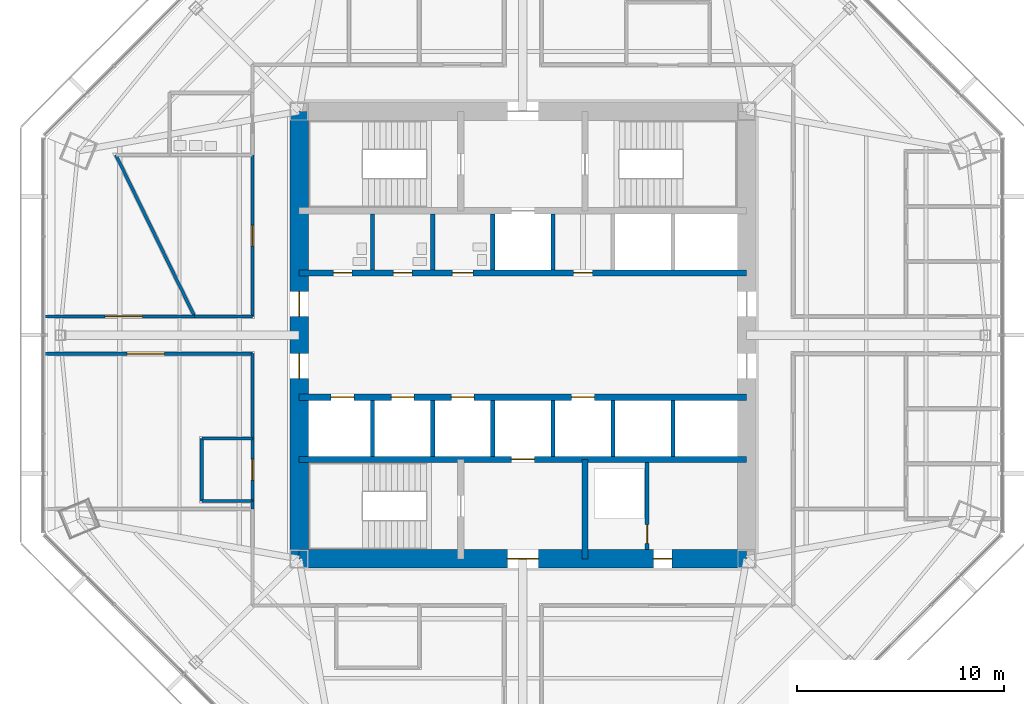
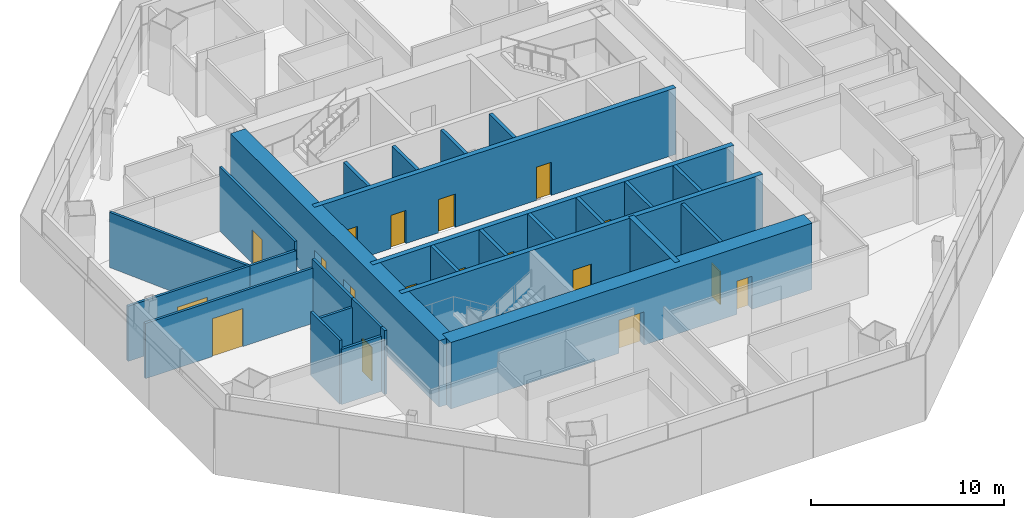
# One storey, part 9 of 15: 28 walls, 18 doors, 18 openings.
"""IFC4 building model written with IfcOpenShell, lengths in metres."""

from ifc_helpers import new_model, si_unit, direction, frame, frame_2d, origin, place, context, subcontext, project, spatial, rectangle, extrude, material, layer, layer_set, type_object, element, fill, save


model = new_model("IFC4")

# Units and contexts
model_context = context("Model", 3, precision=1e-05, world=origin(), true_north=direction((0.0, 1.0)))
body_context = subcontext(model_context, "Body", "Model", "MODEL_VIEW")
ifc_project = project(units=[si_unit("LENGTHUNIT", "METRE"), si_unit("AREAUNIT", "SQUARE_METRE"), si_unit("VOLUMEUNIT", "CUBIC_METRE"), si_unit("PLANEANGLEUNIT", "RADIAN"), si_unit("MASSUNIT", "GRAM", prefix="KILO")], contexts=[model_context])

# Site, building, storey
site_placement = place(None, origin())
site = spatial("IfcSite", under=ifc_project, at=site_placement, CompositionType="ELEMENT")
building_placement = place(site_placement, origin())
building = spatial("IfcBuilding", under=site, at=building_placement, Name="Mashrafa Tower", CompositionType="ELEMENT")
storey_placement = place(building_placement, frame((0.0, 0.0, 172.199951171875)))
storey = spatial("IfcBuildingStorey", under=building, at=storey_placement, Name="L39", CompositionType="ELEMENT", Elevation=172.199951171875)

# Wall, opening, door
ifc_material_1 = material(Name="Concrete masonry unit", Category="masonry")
ifc_layer_1 = layer(ifc_material_1, 0.199951171875)
ifc_layer_set_1 = layer_set([ifc_layer_1], Name="Blockwork wall 200 2 hr")
wall_type_1 = type_object("IfcWallType", Name="Blockwork wall 200 2 hr", PredefinedType="PARTITIONING", material=ifc_layer_set_1)
wall_1_placement = place(storey_placement, frame((6.0, -10.35009765625, 0.0), z_axis=(0.0, 0.0, 1.0), x_axis=(0.0, 1.0, 0.0)))
wall_1 = element("IfcWall", 1, at=wall_1_placement, inside=storey, type_object=wall_type_1, Name="Riser enclosure wall L39", PredefinedType="PARTITIONING", context=body_context, shape_type="SweptSolid", body=[
    extrude(rectangle(XDim=4.2001953125, YDim=0.199951171875, at=frame_2d((2.10009765625, 0.0))), origin(), (0.0, 0.0, 1.0), 4.03515625),
])
opening_1_placement = place(wall_1_placement, frame((0.300048828125, 0.0, 0.0)))
opening_1 = element("IfcOpeningElement", 2, at=opening_1_placement, cuts=wall_1, Name="Opening 39.034", PredefinedType="OPENING", context=body_context, shape_type="SweptSolid", body=[
    extrude(rectangle(XDim=0.89990234375, YDim=2.10009765625, at=frame_2d((0.449951171875, 1.050048828125))), frame((0.0, 0.10986328125, 0.0), z_axis=(0.0, -1.0, 0.0), x_axis=(1.0, 0.0, 0.0)), (0.0, 0.0, 1.0), 0.219970703125),
])
ifc_material_2 = material(Name="Steel door", Category="steel")
door_type_1 = type_object("IfcDoorType", Name="Service door 900 x 2100 90 min", OperationType="USERDEFINED", PredefinedType="DOOR", material=ifc_material_2)
door_1_placement = place(opening_1_placement, origin())
door_1 = element("IfcDoor", 3, at=door_1_placement, inside=storey, type_object=door_type_1, Name="Riser door L39", OperationType="SINGLE_SWING_LEFT", OverallHeight=2.10009765625, OverallWidth=0.89990234375, PredefinedType="DOOR", context=body_context, shape_type="SweptSolid", body=[
    extrude(rectangle(XDim=0.89990234375, YDim=2.10009765625, at=frame_2d((0.449951171875, 1.050048828125))), frame((0.0, 0.02490234375, 0.0), z_axis=(0.0, -1.0, 0.0), x_axis=(1.0, 0.0, 0.0)), (0.0, 0.0, 1.0), 0.050048828125),
])
fill(opening_1, door_1)

# Wall, openings, doors
ifc_material_3 = material(Name="Concrete C60/75", Category="concrete")
ifc_layer_2 = layer(ifc_material_3, 0.300048828125)
ifc_layer_set_2 = layer_set([ifc_layer_2], Name="Core wall 300 C60/75")
wall_type_2 = type_object("IfcWallType", Name="Core wall 300 C60/75", PredefinedType="SOLIDWALL", material=ifc_layer_set_2)
wall_2_placement = place(storey_placement, frame((-10.800048828125, 3.0, 0.0), z_axis=(0.0, 0.0, 1.0), x_axis=(1.0, 0.0, 0.0)))
wall_2 = element("IfcWall", 4, at=wall_2_placement, inside=storey, type_object=wall_type_2, Name="Core wall CH-N L39", PredefinedType="SOLIDWALL", context=body_context, shape_type="SweptSolid", body=[
    extrude(rectangle(XDim=21.60009765625, YDim=0.300048828125, at=frame_2d((10.800048828125, 0.0))), origin(), (0.0, 0.0, 1.0), 4.199951171875),
])
opening_2_placement = place(wall_2_placement, frame((1.64990234375, 0.0, 0.0)))
opening_2 = element("IfcOpeningElement", 5, at=opening_2_placement, cuts=wall_2, Name="Opening 39.035", PredefinedType="OPENING", context=body_context, shape_type="SweptSolid", body=[
    extrude(rectangle(XDim=0.89990234375, YDim=2.10009765625, at=frame_2d((0.449951171875, 1.050048828125))), frame((0.0, 0.159912109375, 0.0), z_axis=(0.0, -1.0, 0.0), x_axis=(1.0, 0.0, 0.0)), (0.0, 0.0, 1.0), 0.320068359375),
])
opening_3_placement = place(wall_2_placement, frame((4.550048828125, 0.0, 0.0)))
opening_3 = element("IfcOpeningElement", 6, at=opening_3_placement, cuts=wall_2, Name="Opening 39.036", PredefinedType="OPENING", context=body_context, shape_type="SweptSolid", body=[
    extrude(rectangle(XDim=0.89990234375, YDim=2.10009765625, at=frame_2d((0.449951171875, 1.050048828125))), frame((0.0, 0.159912109375, 0.0), z_axis=(0.0, -1.0, 0.0), x_axis=(1.0, 0.0, 0.0)), (0.0, 0.0, 1.0), 0.320068359375),
])
opening_4_placement = place(wall_2_placement, frame((7.39990234375, 0.0, 0.0)))
opening_4 = element("IfcOpeningElement", 7, at=opening_4_placement, cuts=wall_2, Name="Opening 39.037", PredefinedType="OPENING", context=body_context, shape_type="SweptSolid", body=[
    extrude(rectangle(XDim=1.0, YDim=2.10009765625, at=frame_2d((0.5, 1.050048828125))), frame((0.0, 0.159912109375, 0.0), z_axis=(0.0, -1.0, 0.0), x_axis=(1.0, 0.0, 0.0)), (0.0, 0.0, 1.0), 0.320068359375),
])
opening_5_placement = place(wall_2_placement, frame((13.25, 0.0, 0.0)))
opening_5 = element("IfcOpeningElement", 8, at=opening_5_placement, cuts=wall_2, Name="Opening 39.038", PredefinedType="OPENING", context=body_context, shape_type="SweptSolid", body=[
    extrude(rectangle(XDim=0.89990234375, YDim=2.10009765625, at=frame_2d((0.449951171875, 1.050048828125))), frame((0.0, 0.159912109375, 0.0), z_axis=(0.0, -1.0, 0.0), x_axis=(1.0, 0.0, 0.0)), (0.0, 0.0, 1.0), 0.320068359375),
])
ifc_material_4 = material(Name="Timber door", Category="wood")
door_type_2 = type_object("IfcDoorType", Name="Accessible toilet door 1000 x 2100", OperationType="USERDEFINED", PredefinedType="DOOR", material=ifc_material_4)
door_2_placement = place(opening_4_placement, origin())
door_2 = element("IfcDoor", 9, at=door_2_placement, inside=storey, type_object=door_type_2, Name="Accessible WC L39 door", OperationType="SINGLE_SWING_LEFT", OverallHeight=2.10009765625, OverallWidth=1.0, PredefinedType="DOOR", context=body_context, shape_type="SweptSolid", body=[
    extrude(rectangle(XDim=1.0, YDim=2.10009765625, at=frame_2d((0.5, 1.050048828125))), frame((0.0, 0.02490234375, 0.0), z_axis=(0.0, -1.0, 0.0), x_axis=(1.0, 0.0, 0.0)), (0.0, 0.0, 1.0), 0.050048828125),
])
fill(opening_4, door_2)
ifc_material_5 = material(Name="Timber door", Category="wood")
door_type_3 = type_object("IfcDoorType", Name="Store door 900 x 2100", OperationType="USERDEFINED", PredefinedType="DOOR", material=ifc_material_5)
door_3_placement = place(opening_5_placement, origin())
door_3 = element("IfcDoor", 10, at=door_3_placement, inside=storey, type_object=door_type_3, Name="Cleaner's Store L39 door", OperationType="SINGLE_SWING_LEFT", OverallHeight=2.10009765625, OverallWidth=0.89990234375, PredefinedType="DOOR", context=body_context, shape_type="SweptSolid", body=[
    extrude(rectangle(XDim=0.89990234375, YDim=2.10009765625, at=frame_2d((0.449951171875, 1.050048828125))), frame((0.0, 0.02490234375, 0.0), z_axis=(0.0, -1.0, 0.0), x_axis=(1.0, 0.0, 0.0)), (0.0, 0.0, 1.0), 0.050048828125),
])
fill(opening_5, door_3)
ifc_material_6 = material(Name="Timber door", Category="wood")
door_type_4 = type_object("IfcDoorType", Name="Toilet door 900 x 2100", OperationType="USERDEFINED", PredefinedType="DOOR", material=ifc_material_6)
door_4_placement = place(opening_2_placement, origin())
door_4 = element("IfcDoor", 11, at=door_4_placement, inside=storey, type_object=door_type_4, Name="WC Male L39 door", OperationType="SINGLE_SWING_RIGHT", OverallHeight=2.10009765625, OverallWidth=0.89990234375, PredefinedType="DOOR", context=body_context, shape_type="SweptSolid", body=[
    extrude(rectangle(XDim=0.89990234375, YDim=2.10009765625, at=frame_2d((0.449951171875, 1.050048828125))), frame((0.0, 0.02490234375, 0.0), z_axis=(0.0, -1.0, 0.0), x_axis=(1.0, 0.0, 0.0)), (0.0, 0.0, 1.0), 0.050048828125),
])
fill(opening_2, door_4)
door_5_placement = place(opening_3_placement, origin())
door_5 = element("IfcDoor", 12, at=door_5_placement, inside=storey, type_object=door_type_4, Name="WC Female L39 door", OperationType="SINGLE_SWING_LEFT", OverallHeight=2.10009765625, OverallWidth=0.89990234375, PredefinedType="DOOR", context=body_context, shape_type="SweptSolid", body=[
    extrude(rectangle(XDim=0.89990234375, YDim=2.10009765625, at=frame_2d((0.449951171875, 1.050048828125))), frame((0.0, 0.02490234375, 0.0), z_axis=(0.0, -1.0, 0.0), x_axis=(1.0, 0.0, 0.0)), (0.0, 0.0, 1.0), 0.050048828125),
])
fill(opening_3, door_5)

wall_3_placement = place(storey_placement, frame((-10.800048828125, -3.0, 0.0), z_axis=(0.0, 0.0, 1.0), x_axis=(1.0, 0.0, 0.0)))
wall_3 = element("IfcWall", 13, at=wall_3_placement, inside=storey, type_object=wall_type_2, Name="Core wall CH-S L39", PredefinedType="SOLIDWALL", context=body_context, shape_type="SweptSolid", body=[
    extrude(rectangle(XDim=21.60009765625, YDim=0.300048828125, at=frame_2d((10.800048828125, 0.0))), origin(), (0.0, 0.0, 1.0), 4.199951171875),
])
opening_6_placement = place(wall_3_placement, frame((1.550048828125, 0.0, 0.0)))
opening_6 = element("IfcOpeningElement", 14, at=opening_6_placement, cuts=wall_3, Name="Opening 39.B1", PredefinedType="OPENING", context=body_context, shape_type="SweptSolid", body=[
    extrude(rectangle(XDim=1.10009765625, YDim=2.10009765625, at=frame_2d((0.550048828125, 1.050048828125))), frame((0.0, 0.159912109375, 0.0), z_axis=(0.0, -1.0, 0.0), x_axis=(1.0, 0.0, 0.0)), (0.0, 0.0, 1.0), 0.320068359375),
])
opening_7_placement = place(wall_3_placement, frame((4.449951171875, 0.0, 0.0)))
opening_7 = element("IfcOpeningElement", 15, at=opening_7_placement, cuts=wall_3, Name="Opening 39.B2", PredefinedType="OPENING", context=body_context, shape_type="SweptSolid", body=[
    extrude(rectangle(XDim=1.10009765625, YDim=2.10009765625, at=frame_2d((0.550048828125, 1.050048828125))), frame((0.0, 0.159912109375, 0.0), z_axis=(0.0, -1.0, 0.0), x_axis=(1.0, 0.0, 0.0)), (0.0, 0.0, 1.0), 0.320068359375),
])
opening_8_placement = place(wall_3_placement, frame((7.35009765625, 0.0, 0.0)))
opening_8 = element("IfcOpeningElement", 16, at=opening_8_placement, cuts=wall_3, Name="Opening 39.B3", PredefinedType="OPENING", context=body_context, shape_type="SweptSolid", body=[
    extrude(rectangle(XDim=1.10009765625, YDim=2.10009765625, at=frame_2d((0.550048828125, 1.050048828125))), frame((0.0, 0.159912109375, 0.0), z_axis=(0.0, -1.0, 0.0), x_axis=(1.0, 0.0, 0.0)), (0.0, 0.0, 1.0), 0.320068359375),
])
opening_9_placement = place(wall_3_placement, frame((13.14990234375, 0.0, 0.0)))
opening_9 = element("IfcOpeningElement", 17, at=opening_9_placement, cuts=wall_3, Name="Opening 39.B4", PredefinedType="OPENING", context=body_context, shape_type="SweptSolid", body=[
    extrude(rectangle(XDim=1.10009765625, YDim=2.10009765625, at=frame_2d((0.550048828125, 1.050048828125))), frame((0.0, 0.159912109375, 0.0), z_axis=(0.0, -1.0, 0.0), x_axis=(1.0, 0.0, 0.0)), (0.0, 0.0, 1.0), 0.320068359375),
])
ifc_material_7 = material(Name="Steel door", Category="steel")
door_type_5 = type_object("IfcDoorType", Name="Lift landing door 1100 x 2100 90 min", OperationType="DOUBLE_DOOR_SLIDING", PredefinedType="DOOR", material=ifc_material_7)
door_6_placement = place(opening_6_placement, origin())
door_6 = element("IfcDoor", 18, at=door_6_placement, inside=storey, type_object=door_type_5, Name="Lift landing door B1 L39", OperationType="DOUBLE_DOOR_SLIDING", OverallHeight=2.10009765625, OverallWidth=1.10009765625, PredefinedType="DOOR", context=body_context, shape_type="SweptSolid", body=[
    extrude(rectangle(XDim=1.10009765625, YDim=2.10009765625, at=frame_2d((0.550048828125, 1.050048828125))), frame((0.0, 0.02490234375, 0.0), z_axis=(0.0, -1.0, 0.0), x_axis=(1.0, 0.0, 0.0)), (0.0, 0.0, 1.0), 0.050048828125),
])
fill(opening_6, door_6)
door_7_placement = place(opening_7_placement, origin())
door_7 = element("IfcDoor", 19, at=door_7_placement, inside=storey, type_object=door_type_5, Name="Lift landing door B2 L39", OperationType="DOUBLE_DOOR_SLIDING", OverallHeight=2.10009765625, OverallWidth=1.10009765625, PredefinedType="DOOR", context=body_context, shape_type="SweptSolid", body=[
    extrude(rectangle(XDim=1.10009765625, YDim=2.10009765625, at=frame_2d((0.550048828125, 1.050048828125))), frame((0.0, 0.02490234375, 0.0), z_axis=(0.0, -1.0, 0.0), x_axis=(1.0, 0.0, 0.0)), (0.0, 0.0, 1.0), 0.050048828125),
])
fill(opening_7, door_7)
door_8_placement = place(opening_8_placement, origin())
door_8 = element("IfcDoor", 20, at=door_8_placement, inside=storey, type_object=door_type_5, Name="Lift landing door B3 L39", OperationType="DOUBLE_DOOR_SLIDING", OverallHeight=2.10009765625, OverallWidth=1.10009765625, PredefinedType="DOOR", context=body_context, shape_type="SweptSolid", body=[
    extrude(rectangle(XDim=1.10009765625, YDim=2.10009765625, at=frame_2d((0.550048828125, 1.050048828125))), frame((0.0, 0.02490234375, 0.0), z_axis=(0.0, -1.0, 0.0), x_axis=(1.0, 0.0, 0.0)), (0.0, 0.0, 1.0), 0.050048828125),
])
fill(opening_8, door_8)
door_9_placement = place(opening_9_placement, origin())
door_9 = element("IfcDoor", 21, at=door_9_placement, inside=storey, type_object=door_type_5, Name="Lift landing door B4 L39", OperationType="DOUBLE_DOOR_SLIDING", OverallHeight=2.10009765625, OverallWidth=1.10009765625, PredefinedType="DOOR", context=body_context, shape_type="SweptSolid", body=[
    extrude(rectangle(XDim=1.10009765625, YDim=2.10009765625, at=frame_2d((0.550048828125, 1.050048828125))), frame((0.0, 0.02490234375, 0.0), z_axis=(0.0, -1.0, 0.0), x_axis=(1.0, 0.0, 0.0)), (0.0, 0.0, 1.0), 0.050048828125),
])
fill(opening_9, door_9)

# Wall, opening, door
wall_4_placement = place(storey_placement, frame((-10.800048828125, -6.0, 0.0), z_axis=(0.0, 0.0, 1.0), x_axis=(1.0, 0.0, 0.0)))
wall_4 = element("IfcWall", 22, at=wall_4_placement, inside=storey, type_object=wall_type_2, Name="Core wall CB-S L39", PredefinedType="SOLIDWALL", context=body_context, shape_type="SweptSolid", body=[
    extrude(rectangle(XDim=21.60009765625, YDim=0.300048828125, at=frame_2d((10.800048828125, 0.0))), origin(), (0.0, 0.0, 1.0), 4.199951171875),
])
opening_10_placement = place(wall_4_placement, frame((10.25, 0.0, 0.0)))
opening_10 = element("IfcOpeningElement", 23, at=opening_10_placement, cuts=wall_4, Name="Opening 39.F2", PredefinedType="OPENING", context=body_context, shape_type="SweptSolid", body=[
    extrude(rectangle(XDim=1.10009765625, YDim=2.10009765625, at=frame_2d((0.550048828125, 1.050048828125))), frame((0.0, 0.159912109375, 0.0), z_axis=(0.0, -1.0, 0.0), x_axis=(1.0, 0.0, 0.0)), (0.0, 0.0, 1.0), 0.320068359375),
])
door_10_placement = place(opening_10_placement, origin())
door_10 = element("IfcDoor", 24, at=door_10_placement, inside=storey, type_object=door_type_5, Name="Lift landing door F2 L39", OperationType="DOUBLE_DOOR_SLIDING", OverallHeight=2.10009765625, OverallWidth=1.10009765625, PredefinedType="DOOR", context=body_context, shape_type="SweptSolid", body=[
    extrude(rectangle(XDim=1.10009765625, YDim=2.10009765625, at=frame_2d((0.550048828125, 1.050048828125))), frame((0.0, 0.02490234375, 0.0), z_axis=(0.0, -1.0, 0.0), x_axis=(1.0, 0.0, 0.0)), (0.0, 0.0, 1.0), 0.050048828125),
])
fill(opening_10, door_10)

# Wall
wall_5_placement = place(storey_placement, frame((3.0, -6.0, 0.0), z_axis=(0.0, 0.0, 1.0), x_axis=(0.0, -1.0, 0.0)))
element("IfcWall", 25, at=wall_5_placement, inside=storey, type_object=wall_type_2, Name="Core wall CX-SE L39", PredefinedType="SOLIDWALL", context=body_context, shape_type="SweptSolid", body=[
    extrude(rectangle(XDim=4.800048828125, YDim=0.300048828125, at=frame_2d((2.39990234375, 0.0))), origin(), (0.0, 0.0, 1.0), 4.199951171875),
])

# Wall, openings, doors
ifc_material_8 = material(Name="Concrete C60/75", Category="concrete")
ifc_layer_3 = layer(ifc_material_8, 0.89990234375)
ifc_layer_set_3 = layer_set([ifc_layer_3], Name="Core wall 900 C60/75")
wall_type_3 = type_object("IfcWallType", Name="Core wall 900 C60/75", PredefinedType="SOLIDWALL", material=ifc_layer_set_3)
wall_6_placement = place(storey_placement, frame((-10.800048828125, -10.800048828125, 0.0), z_axis=(0.0, 0.0, 1.0), x_axis=(1.0, 0.0, 0.0)))
wall_6 = element("IfcWall", 26, at=wall_6_placement, inside=storey, type_object=wall_type_3, Name="Core wall CW-S L39", PredefinedType="SOLIDWALL", context=body_context, shape_type="SweptSolid", body=[
    extrude(rectangle(XDim=21.60009765625, YDim=0.89990234375, at=frame_2d((10.800048828125, 0.0))), origin(), (0.0, 0.0, 1.0), 4.199951171875),
])
opening_11_placement = place(wall_6_placement, frame((10.050048828125, 0.0, 0.0)))
opening_11 = element("IfcOpeningElement", 27, at=opening_11_placement, cuts=wall_6, Name="Opening 39.029", PredefinedType="OPENING", context=body_context, shape_type="SweptSolid", body=[
    extrude(rectangle(XDim=1.5, YDim=2.10009765625, at=frame_2d((0.75, 1.050048828125))), frame((0.0, 0.4599609375, 0.0), z_axis=(0.0, -1.0, 0.0), x_axis=(1.0, 0.0, 0.0)), (0.0, 0.0, 1.0), 0.919921875),
])
opening_12_placement = place(wall_6_placement, frame((17.10009765625, 0.0, 0.0)))
opening_12 = element("IfcOpeningElement", 28, at=opening_12_placement, cuts=wall_6, Name="Opening 39.033", PredefinedType="OPENING", context=body_context, shape_type="SweptSolid", body=[
    extrude(rectangle(XDim=0.89990234375, YDim=2.10009765625, at=frame_2d((0.449951171875, 1.050048828125))), frame((0.0, 0.4599609375, 0.0), z_axis=(0.0, -1.0, 0.0), x_axis=(1.0, 0.0, 0.0)), (0.0, 0.0, 1.0), 0.919921875),
])
ifc_material_9 = material(Name="Steel door", Category="steel")
door_type_6 = type_object("IfcDoorType", Name="Lobby door pair 1500 x 2100 90 min", OperationType="DOUBLE_DOOR_SINGLE_SWING", PredefinedType="DOOR", material=ifc_material_9)
door_11_placement = place(opening_11_placement, origin())
door_11 = element("IfcDoor", 29, at=door_11_placement, inside=storey, type_object=door_type_6, Name="Fire-fighting lobby F2 door L39", OperationType="DOUBLE_DOOR_SINGLE_SWING", OverallHeight=2.10009765625, OverallWidth=1.5, PredefinedType="DOOR", context=body_context, shape_type="SweptSolid", body=[
    extrude(rectangle(XDim=1.5, YDim=2.10009765625, at=frame_2d((0.75, 1.050048828125))), frame((0.0, 0.02490234375, 0.0), z_axis=(0.0, -1.0, 0.0), x_axis=(1.0, 0.0, 0.0)), (0.0, 0.0, 1.0), 0.050048828125),
])
fill(opening_11, door_11)
door_12_placement = place(opening_12_placement, origin())
door_12 = element("IfcDoor", 30, at=door_12_placement, inside=storey, type_object=door_type_1, Name="Tenant Store L39 door", OperationType="SINGLE_SWING_LEFT", OverallHeight=2.10009765625, OverallWidth=0.89990234375, PredefinedType="DOOR", context=body_context, shape_type="SweptSolid", body=[
    extrude(rectangle(XDim=0.89990234375, YDim=2.10009765625, at=frame_2d((0.449951171875, 1.050048828125))), frame((0.0, 0.02490234375, 0.0), z_axis=(0.0, -1.0, 0.0), x_axis=(1.0, 0.0, 0.0)), (0.0, 0.0, 1.0), 0.050048828125),
])
fill(opening_12, door_12)

wall_7_placement = place(storey_placement, frame((-10.800048828125, 10.800048828125, 0.0), z_axis=(0.0, 0.0, 1.0), x_axis=(0.0, -1.0, 0.0)))
wall_7 = element("IfcWall", 31, at=wall_7_placement, inside=storey, type_object=wall_type_3, Name="Core wall CW-W L39", PredefinedType="SOLIDWALL", context=body_context, shape_type="SweptSolid", body=[
    extrude(rectangle(XDim=21.60009765625, YDim=0.89990234375, at=frame_2d((10.800048828125, 0.0))), origin(), (0.0, 0.0, 1.0), 4.199951171875),
])
opening_13_placement = place(wall_7_placement, frame((8.699951171875, 0.0, 0.0)))
opening_13 = element("IfcOpeningElement", 32, at=opening_13_placement, cuts=wall_7, Name="Opening 39.025", PredefinedType="OPENING", context=body_context, shape_type="SweptSolid", body=[
    extrude(rectangle(XDim=1.199951171875, YDim=2.10009765625, at=frame_2d((0.60009765625, 1.050048828125))), frame((0.0, 0.4599609375, 0.0), z_axis=(0.0, -1.0, 0.0), x_axis=(1.0, 0.0, 0.0)), (0.0, 0.0, 1.0), 0.919921875),
])
opening_14_placement = place(wall_7_placement, frame((11.699951171875, 0.0, 0.0)))
opening_14 = element("IfcOpeningElement", 33, at=opening_14_placement, cuts=wall_7, Name="Opening 39.027", PredefinedType="OPENING", context=body_context, shape_type="SweptSolid", body=[
    extrude(rectangle(XDim=1.199951171875, YDim=2.10009765625, at=frame_2d((0.60009765625, 1.050048828125))), frame((0.0, 0.4599609375, 0.0), z_axis=(0.0, -1.0, 0.0), x_axis=(1.0, 0.0, 0.0)), (0.0, 0.0, 1.0), 0.919921875),
])
ifc_material_10 = material(Name="Steel door", Category="steel")
door_type_7 = type_object("IfcDoorType", Name="Lift hall door 1200 x 2100 90 min", OperationType="USERDEFINED", PredefinedType="DOOR", material=ifc_material_10)
door_13_placement = place(opening_13_placement, frame((1.199951171875, 0.0, 0.0), z_axis=(0.0, 0.0, 1.0), x_axis=(-1.0, 0.0, 0.0)))
door_13 = element("IfcDoor", 34, at=door_13_placement, inside=storey, type_object=door_type_7, Name="Lift hall door west L39", OperationType="SINGLE_SWING_RIGHT", OverallHeight=2.10009765625, OverallWidth=1.199951171875, PredefinedType="DOOR", context=body_context, shape_type="SweptSolid", body=[
    extrude(rectangle(XDim=1.199951171875, YDim=2.10009765625, at=frame_2d((0.60009765625, 1.050048828125))), frame((0.0, 0.02490234375, 0.0), z_axis=(0.0, -1.0, 0.0), x_axis=(1.0, 0.0, 0.0)), (0.0, 0.0, 1.0), 0.050048828125),
])
fill(opening_13, door_13)
door_14_placement = place(opening_14_placement, frame((1.199951171875, 0.0, 0.0), z_axis=(0.0, 0.0, 1.0), x_axis=(-1.0, 0.0, 0.0)))
door_14 = element("IfcDoor", 35, at=door_14_placement, inside=storey, type_object=door_type_7, Name="Lift hall door west L39", OperationType="SINGLE_SWING_LEFT", OverallHeight=2.10009765625, OverallWidth=1.199951171875, PredefinedType="DOOR", context=body_context, shape_type="SweptSolid", body=[
    extrude(rectangle(XDim=1.199951171875, YDim=2.10009765625, at=frame_2d((0.60009765625, 1.050048828125))), frame((0.0, 0.02490234375, 0.0), z_axis=(0.0, -1.0, 0.0), x_axis=(1.0, 0.0, 0.0)), (0.0, 0.0, 1.0), 0.050048828125),
])
fill(opening_14, door_14)

# Wall, opening, door
ifc_material_11 = material(Name="Gypsum board on steel studs", Category="steel")
ifc_layer_4 = layer(ifc_material_11, 0.14990234375)
ifc_layer_set_4 = layer_set([ifc_layer_4], Name="Corridor partition 150 1 hr")
wall_type_4 = type_object("IfcWallType", Name="Corridor partition 150 1 hr", PredefinedType="PARTITIONING", material=ifc_layer_set_4)
wall_8_placement = place(storey_placement, frame((-13.050048828125, 8.700927734375, 0.0), z_axis=(0.0, 0.0, 1.0), x_axis=(0.0, -1.0, 0.0)))
wall_8 = element("IfcWall", 36, at=wall_8_placement, inside=storey, type_object=wall_type_4, Name="Corridor wall L39-001", PredefinedType="PARTITIONING", context=body_context, shape_type="SweptSolid", body=[
    extrude(rectangle(XDim=7.801025390625, YDim=0.14990234375, at=frame_2d((3.900390625, 0.0))), origin(), (0.0, 0.0, 1.0), 4.03515625),
])
opening_15_placement = place(wall_8_placement, frame((3.400390625, 0.0, 0.0)))
opening_15 = element("IfcOpeningElement", 37, at=opening_15_placement, cuts=wall_8, Name="Opening 39.001", PredefinedType="OPENING", context=body_context, shape_type="SweptSolid", body=[
    extrude(rectangle(XDim=1.0, YDim=2.10009765625, at=frame_2d((0.5, 1.050048828125))), frame((0.0, 0.0849609375, 0.0), z_axis=(0.0, -1.0, 0.0), x_axis=(1.0, 0.0, 0.0)), (0.0, 0.0, 1.0), 0.169921875),
])
ifc_material_12 = material(Name="Timber door", Category="wood")
door_type_8 = type_object("IfcDoorType", Name="Door 1000 x 2100", OperationType="USERDEFINED", PredefinedType="DOOR", material=ifc_material_12)
door_15_placement = place(opening_15_placement, frame((1.0, 0.0, 0.0), z_axis=(0.0, 0.0, 1.0), x_axis=(-1.0, 0.0, 0.0)))
door_15 = element("IfcDoor", 38, at=door_15_placement, inside=storey, type_object=door_type_8, Name="Musallah Prayer Room 39 door", OperationType="SINGLE_SWING_LEFT", OverallHeight=2.10009765625, OverallWidth=1.0, PredefinedType="DOOR", context=body_context, shape_type="SweptSolid", body=[
    extrude(rectangle(XDim=1.0, YDim=2.10009765625, at=frame_2d((0.5, 1.050048828125))), frame((0.0, 0.02490234375, 0.0), z_axis=(0.0, -1.0, 0.0), x_axis=(1.0, 0.0, 0.0)), (0.0, 0.0, 1.0), 0.050048828125),
])
fill(opening_15, door_15)

# Wall
wall_9_placement = place(storey_placement, frame((-13.050048828125, 0.89990234375, 0.0), z_axis=(0.0, 0.0, 1.0), x_axis=(-1.0, 0.0, 0.0)))
element("IfcWall", 39, at=wall_9_placement, inside=storey, type_object=wall_type_4, Name="Corridor wall L39-002", PredefinedType="PARTITIONING", context=body_context, shape_type="SweptSolid", body=[
    extrude(rectangle(XDim=2.796630859375, YDim=0.14990234375, at=frame_2d((1.3984375, 0.0))), origin(), (0.0, 0.0, 1.0), 3.49169921875),
])

# Wall, opening, door
wall_10_placement = place(storey_placement, frame((-13.050048828125, -4.9990234375, 0.0), z_axis=(0.0, 0.0, 1.0), x_axis=(0.0, -1.0, 0.0)))
wall_10 = element("IfcWall", 40, at=wall_10_placement, inside=storey, type_object=wall_type_4, Name="Corridor wall L39-008", PredefinedType="PARTITIONING", context=body_context, shape_type="SweptSolid", body=[
    extrude(rectangle(XDim=3.001953125, YDim=0.14990234375, at=frame_2d((1.5009765625, 0.0))), origin(), (0.0, 0.0, 1.0), 4.03515625),
])
opening_16_placement = place(wall_10_placement, frame((1.0009765625, 0.0, 0.0)))
opening_16 = element("IfcOpeningElement", 41, at=opening_16_placement, cuts=wall_10, Name="Opening 39.007", PredefinedType="OPENING", context=body_context, shape_type="SweptSolid", body=[
    extrude(rectangle(XDim=1.0, YDim=2.10009765625, at=frame_2d((0.5, 1.050048828125))), frame((0.0, 0.0849609375, 0.0), z_axis=(0.0, -1.0, 0.0), x_axis=(1.0, 0.0, 0.0)), (0.0, 0.0, 1.0), 0.169921875),
])
door_16_placement = place(opening_16_placement, frame((1.0, 0.0, 0.0), z_axis=(0.0, 0.0, 1.0), x_axis=(-1.0, 0.0, 0.0)))
door_16 = element("IfcDoor", 42, at=door_16_placement, inside=storey, type_object=door_type_8, Name="Pantry 39-3 door", OperationType="SINGLE_SWING_RIGHT", OverallHeight=2.10009765625, OverallWidth=1.0, PredefinedType="DOOR", context=body_context, shape_type="SweptSolid", body=[
    extrude(rectangle(XDim=1.0, YDim=2.10009765625, at=frame_2d((0.5, 1.050048828125))), frame((0.0, 0.02490234375, 0.0), z_axis=(0.0, -1.0, 0.0), x_axis=(1.0, 0.0, 0.0)), (0.0, 0.0, 1.0), 0.050048828125),
])
fill(opening_16, door_16)

wall_11_placement = place(storey_placement, frame((-15.844482421875, 0.89990234375, 0.0), z_axis=(0.0, 0.0, 1.0), x_axis=(-1.0, 0.0, 0.0)))
wall_11 = element("IfcWall", 43, at=wall_11_placement, inside=storey, type_object=wall_type_4, Name="Corridor wall L39-016", PredefinedType="PARTITIONING", context=body_context, shape_type="SweptSolid", body=[
    extrude(rectangle(XDim=7.282958984375, YDim=0.14990234375, at=frame_2d((3.6416015625, 0.0))), origin(), (0.0, 0.0, 1.0), 3.49169921875),
])
opening_17_placement = place(wall_11_placement, frame((2.5244140625, 0.0, 0.0)))
opening_17 = element("IfcOpeningElement", 44, at=opening_17_placement, cuts=wall_11, Name="Opening 39.018", PredefinedType="OPENING", context=body_context, shape_type="SweptSolid", body=[
    extrude(rectangle(XDim=1.800048828125, YDim=2.39990234375, at=frame_2d((0.89990234375, 1.199951171875))), frame((0.0, 0.0849609375, 0.0), z_axis=(0.0, -1.0, 0.0), x_axis=(1.0, 0.0, 0.0)), (0.0, 0.0, 1.0), 0.169921875),
])
ifc_material_13 = material(Name="Timber door", Category="wood")
door_type_9 = type_object("IfcDoorType", Name="Door pair 1800 x 2400", OperationType="DOUBLE_DOOR_SINGLE_SWING", PredefinedType="DOOR", material=ifc_material_13)
door_17_placement = place(opening_17_placement, frame((1.800048828125, 0.0, 0.0), z_axis=(0.0, 0.0, 1.0), x_axis=(-1.0, 0.0, 0.0)))
door_17 = element("IfcDoor", 45, at=door_17_placement, inside=storey, type_object=door_type_9, Name="Office Tenancy 39-3-NW1 door", OperationType="DOUBLE_DOOR_SINGLE_SWING", OverallHeight=2.39990234375, OverallWidth=1.800048828125, PredefinedType="DOOR", context=body_context, shape_type="SweptSolid", body=[
    extrude(rectangle(XDim=1.800048828125, YDim=2.39990234375, at=frame_2d((0.89990234375, 1.199951171875))), frame((0.0, 0.02490234375, 0.0), z_axis=(0.0, -1.0, 0.0), x_axis=(1.0, 0.0, 0.0)), (0.0, 0.0, 1.0), 0.050048828125),
])
fill(opening_17, door_17)

wall_12_placement = place(storey_placement, frame((-23.12744140625, -0.89990234375, 0.0), z_axis=(0.0, 0.0, 1.0), x_axis=(1.0, 0.0, 0.0)))
wall_12 = element("IfcWall", 46, at=wall_12_placement, inside=storey, type_object=wall_type_4, Name="Corridor wall L39-025", PredefinedType="PARTITIONING", context=body_context, shape_type="SweptSolid", body=[
    extrude(rectangle(XDim=10.077392578125, YDim=0.14990234375, at=frame_2d((5.03857421875, 0.0))), origin(), (0.0, 0.0, 1.0), 3.49169921875),
])
opening_18_placement = place(wall_12_placement, frame((4.020751953125, 0.0, 0.0)))
opening_18 = element("IfcOpeningElement", 47, at=opening_18_placement, cuts=wall_12, Name="Opening 39.021", PredefinedType="OPENING", context=body_context, shape_type="SweptSolid", body=[
    extrude(rectangle(XDim=1.800048828125, YDim=2.39990234375, at=frame_2d((0.89990234375, 1.199951171875))), frame((0.0, 0.0849609375, 0.0), z_axis=(0.0, -1.0, 0.0), x_axis=(1.0, 0.0, 0.0)), (0.0, 0.0, 1.0), 0.169921875),
])
door_18_placement = place(opening_18_placement, frame((1.800048828125, 0.0, 0.0), z_axis=(0.0, 0.0, 1.0), x_axis=(-1.0, 0.0, 0.0)))
door_18 = element("IfcDoor", 48, at=door_18_placement, inside=storey, type_object=door_type_9, Name="Office Tenancy 39-3-SW2 door", OperationType="DOUBLE_DOOR_SINGLE_SWING", OverallHeight=2.39990234375, OverallWidth=1.800048828125, PredefinedType="DOOR", context=body_context, shape_type="SweptSolid", body=[
    extrude(rectangle(XDim=1.800048828125, YDim=2.39990234375, at=frame_2d((0.89990234375, 1.199951171875))), frame((0.0, 0.02490234375, 0.0), z_axis=(0.0, -1.0, 0.0), x_axis=(1.0, 0.0, 0.0)), (0.0, 0.0, 1.0), 0.050048828125),
])
fill(opening_18, door_18)

# Walls
wall_13_placement = place(storey_placement, frame((-13.050048828125, -0.89990234375, 0.0), z_axis=(0.0, 0.0, 1.0), x_axis=(0.0, -1.0, 0.0)))
element("IfcWall", 49, at=wall_13_placement, inside=storey, type_object=wall_type_4, Name="Corridor wall L39-026", PredefinedType="PARTITIONING", context=body_context, shape_type="SweptSolid", body=[
    extrude(rectangle(XDim=4.10107421875, YDim=0.14990234375, at=frame_2d((2.050537109375, 0.0))), origin(), (0.0, 0.0, 1.0), 4.03515625),
])
wall_14_placement = place(storey_placement, frame((-13.050048828125, -7.9990234375, 0.0), z_axis=(0.0, 0.0, 1.0), x_axis=(0.0, -1.0, 0.0)))
element("IfcWall", 50, at=wall_14_placement, inside=storey, type_object=wall_type_4, Name="Corridor wall L39-027", PredefinedType="PARTITIONING", context=body_context, shape_type="SweptSolid", body=[
    extrude(rectangle(XDim=0.40185546875, YDim=0.14990234375, at=frame_2d((0.200927734375, 0.0))), origin(), (0.0, 0.0, 1.0), 4.03515625),
])
ifc_material_14 = material(Name="Gypsum board on steel studs", Category="steel")
ifc_layer_5 = layer(ifc_material_14, 0.14990234375)
ifc_layer_set_5 = layer_set([ifc_layer_5], Name="Partition 150")
wall_type_5 = type_object("IfcWallType", Name="Partition 150", PredefinedType="PARTITIONING", material=ifc_layer_set_5)
wall_15_placement = place(storey_placement, frame((-19.64990234375, 8.699951171875, 0.0), z_axis=(0.0, 0.0, 1.0), x_axis=(0.438358227548, -0.898800347319, 0.0)))
element("IfcWall", 51, at=wall_15_placement, inside=storey, type_object=wall_type_5, Name="Partition wall L39-035", PredefinedType="PARTITIONING", context=body_context, shape_type="SweptSolid", body=[
    extrude(rectangle(XDim=8.67822265625, YDim=0.14990234375, at=frame_2d((4.339111328125, 0.0))), origin(), (0.0, 0.0, 1.0), 3.49169921875),
])
wall_16_placement = place(storey_placement, frame((-13.050048828125, -5.0, 0.0), z_axis=(0.0, 0.0, 1.0), x_axis=(-1.0, 0.0, 0.0)))
element("IfcWall", 52, at=wall_16_placement, inside=storey, type_object=wall_type_5, Name="Partition wall L39-052", PredefinedType="PARTITIONING", context=body_context, shape_type="SweptSolid", body=[
    extrude(rectangle(XDim=2.449951171875, YDim=0.14990234375, at=frame_2d((1.22509765625, 0.0))), origin(), (0.0, 0.0, 1.0), 3.49169921875),
])
wall_17_placement = place(storey_placement, frame((-15.5, -5.0, 0.0), z_axis=(0.0, 0.0, 1.0), x_axis=(0.0, -1.0, 0.0)))
element("IfcWall", 53, at=wall_17_placement, inside=storey, type_object=wall_type_5, Name="Partition wall L39-053", PredefinedType="PARTITIONING", context=body_context, shape_type="SweptSolid", body=[
    extrude(rectangle(XDim=3.0, YDim=0.14990234375, at=frame_2d((1.5, 0.0))), origin(), (0.0, 0.0, 1.0), 4.03515625),
])
wall_18_placement = place(storey_placement, frame((-15.5, -8.0, 0.0), z_axis=(0.0, 0.0, 1.0), x_axis=(1.0, 0.0, 0.0)))
element("IfcWall", 54, at=wall_18_placement, inside=storey, type_object=wall_type_5, Name="Partition wall L39-054", PredefinedType="PARTITIONING", context=body_context, shape_type="SweptSolid", body=[
    extrude(rectangle(XDim=2.449951171875, YDim=0.14990234375, at=frame_2d((1.22509765625, 0.0))), origin(), (0.0, 0.0, 1.0), 3.49169921875),
])
ifc_material_15 = material(Name="Gypsum shaft wall on steel studs", Category="steel")
ifc_layer_6 = layer(ifc_material_15, 0.199951171875)
ifc_layer_set_6 = layer_set([ifc_layer_6], Name="Shaft divider wall 200 2 hr")
wall_type_6 = type_object("IfcWallType", Name="Shaft divider wall 200 2 hr", PredefinedType="PARTITIONING", material=ifc_layer_set_6)
for number, where, z_axis, x_axis, name in (
    (55, (-7.25, 3.14990234375, 0.0), (0.0, 0.0, 1.0), (0.0, 1.0, 0.0), "Shaft divider wall N1 L39"),
    (56, (-4.35009765625, 3.14990234375, 0.0), (0.0, 0.0, 1.0), (0.0, 1.0, 0.0), "Shaft divider wall N2 L39"),
    (57, (-1.449951171875, 3.14990234375, 0.0), (0.0, 0.0, 1.0), (0.0, 1.0, 0.0), "Shaft divider wall N3 L39"),
    (58, (1.449951171875, 3.14990234375, 0.0), (0.0, 0.0, 1.0), (0.0, 1.0, 0.0), "Shaft divider wall N4 L39"),
):
    element("IfcWall", number, at=place(storey_placement, frame(where, z_axis=z_axis, x_axis=x_axis)), inside=storey, type_object=wall_type_6, Name=name, PredefinedType="PARTITIONING", context=body_context, shape_type="SweptSolid", body=[
        extrude(rectangle(XDim=2.7001953125, YDim=0.199951171875, at=frame_2d((1.35009765625, 0.0))), origin(), (0.0, 0.0, 1.0), 4.03515625),
    ])
for number, where, z_axis, x_axis, name in (
    (59, (-7.25, -5.85009765625, 0.0), (0.0, 0.0, 1.0), (0.0, 1.0, 0.0), "Shaft divider wall S1 L39"),
    (60, (-4.35009765625, -5.85009765625, 0.0), (0.0, 0.0, 1.0), (0.0, 1.0, 0.0), "Shaft divider wall S2 L39"),
    (61, (-1.449951171875, -5.85009765625, 0.0), (0.0, 0.0, 1.0), (0.0, 1.0, 0.0), "Shaft divider wall S3 L39"),
    (62, (1.449951171875, -5.85009765625, 0.0), (0.0, 0.0, 1.0), (0.0, 1.0, 0.0), "Shaft divider wall S4 L39"),
    (63, (4.35009765625, -5.85009765625, 0.0), (0.0, 0.0, 1.0), (0.0, 1.0, 0.0), "Shaft divider wall S5 L39"),
    (64, (7.25, -5.85009765625, 0.0), (0.0, 0.0, 1.0), (0.0, 1.0, 0.0), "Shaft divider wall S6 L39"),
):
    element("IfcWall", number, at=place(storey_placement, frame(where, z_axis=z_axis, x_axis=x_axis)), inside=storey, type_object=wall_type_6, Name=name, PredefinedType="PARTITIONING", context=body_context, shape_type="SweptSolid", body=[
        extrude(rectangle(XDim=2.7001953125, YDim=0.199951171875, at=frame_2d((1.35009765625, 0.0))), origin(), (0.0, 0.0, 1.0), 4.199951171875),
    ])

save(model, "model.ifc")
